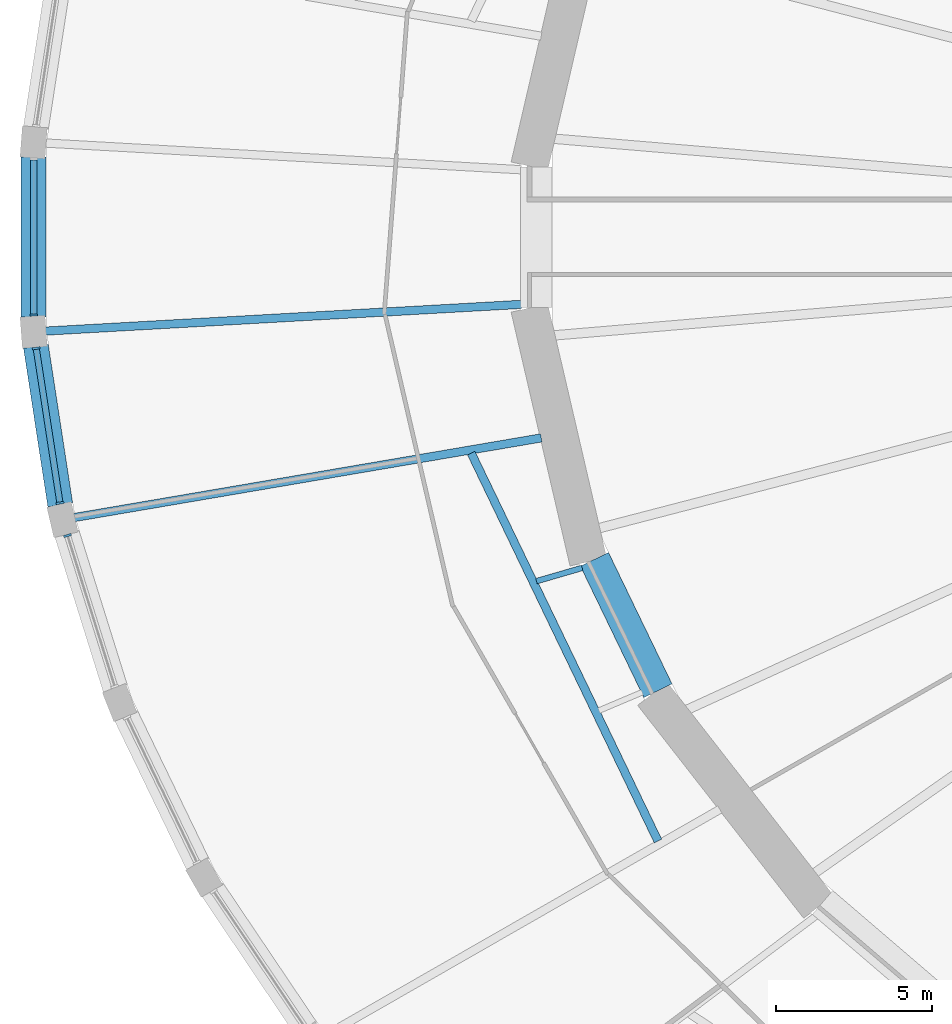
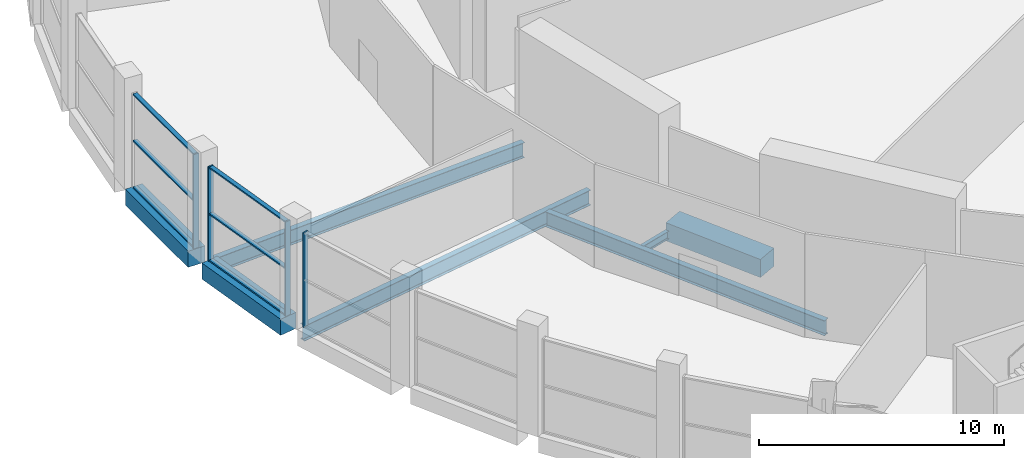
# One storey, part 5 of 29: 10 members, 7 beams, 3 elements without a shape of their own.
"""IFC4 building model written with IfcOpenShell, lengths in metres."""

from ifc_helpers import new_model, si_unit, direction, frame, origin, origin_2d, place, context, subcontext, project, spatial, rectangle, i_section, extrude, material, material_profile, profile_set, type_object, element, aggregate, save


model = new_model("IFC4")

# Units and contexts
model_context = context("Model", 3, precision=1e-05, world=origin(), true_north=direction((0.0, 1.0)))
body_context = subcontext(model_context, "Body", "Model", "MODEL_VIEW")
ifc_project = project(units=[si_unit("LENGTHUNIT", "METRE"), si_unit("AREAUNIT", "SQUARE_METRE"), si_unit("VOLUMEUNIT", "CUBIC_METRE"), si_unit("PLANEANGLEUNIT", "RADIAN"), si_unit("MASSUNIT", "GRAM", prefix="KILO")], contexts=[model_context])

# Site, building, storey
site_placement = place(None, origin())
site = spatial("IfcSite", under=ifc_project, at=site_placement, CompositionType="ELEMENT")
building_placement = place(site_placement, origin())
building = spatial("IfcBuilding", under=site, at=building_placement, Name="Halqa Exchange Tower", CompositionType="ELEMENT")
storey_placement = place(building_placement, frame((0.0, 0.0, 7.0)))
storey = spatial("IfcBuildingStorey", under=building, at=storey_placement, Name="L01", CompositionType="ELEMENT", Elevation=7.0)

# Curtain wall, member
ifc_material_1 = material(Name="Anodised aluminium and clear glass", Category="aluminium")
curtain_wall_type = type_object("IfcCurtainWallType", Name="Exchange hall glazing", PredefinedType="NOTDEFINED", material=ifc_material_1)
curtain_wall_1_placement = place(storey_placement, origin())
curtain_wall_1 = element("IfcCurtainWall", 1, at=curtain_wall_1_placement, inside=storey, type_object=curtain_wall_type, Name="Exchange hall glazing run P24", PredefinedType="NOTDEFINED")
ifc_material_2 = material(Name="Anodised aluminium", Category="aluminium")
ifc_material_profile_1 = material_profile(ifc_material_2, rectangle(XDim=0.25, YDim=0.070068359375, at=origin_2d()), Name="AL 70x250")
ifc_profile_set_1 = profile_set([ifc_material_profile_1], Name="Anodised aluminium")
member_type_1 = type_object("IfcMemberType", Name="Exchange hall glazing mullion 70 x 250", PredefinedType="MULLION", material=ifc_profile_set_1)
member_1_placement = place(storey_placement, frame((-53.884521484375, -2.4931640625, 0.0), z_axis=(0.0, 0.0, 1.0), x_axis=(1.0, 0.0, 0.0)))
member_1 = element("IfcMember", 2, at=member_1_placement, type_object=member_type_1, Name="P24 mullion 2", PredefinedType="MULLION", context=body_context, shape_type="SweptSolid", body=[
    extrude(rectangle(XDim=0.25, YDim=0.070068359375, at=origin_2d()), origin(), (0.0, 0.0, 1.0), 4.699951171875),
])

# Curtain wall, members
curtain_wall_2_placement = place(storey_placement, origin())
curtain_wall_2 = element("IfcCurtainWall", 3, at=curtain_wall_2_placement, inside=storey, type_object=curtain_wall_type, Name="Exchange hall glazing run P25", PredefinedType="NOTDEFINED")
member_2_placement = place(storey_placement, frame((-53.80322265625, -3.556884765625, 0.0), z_axis=(0.0, 0.0, 1.0), x_axis=(0.988416304241, 0.151766957898, 0.0)))
member_2 = element("IfcMember", 4, at=member_2_placement, type_object=member_type_1, Name="P25 mullion 1", PredefinedType="MULLION", context=body_context, shape_type="SweptSolid", body=[
    extrude(rectangle(XDim=0.25, YDim=0.070068359375, at=origin_2d()), origin(), (0.0, 0.0, 1.0), 4.699951171875),
])
member_3_placement = place(storey_placement, frame((-53.043701171875, -8.50390625, 0.0), z_axis=(0.0, 0.0, 1.0), x_axis=(0.988416304241, 0.151766957898, 0.0)))
member_3 = element("IfcMember", 5, at=member_3_placement, type_object=member_type_1, Name="P25 mullion 2", PredefinedType="MULLION", context=body_context, shape_type="SweptSolid", body=[
    extrude(rectangle(XDim=0.25, YDim=0.070068359375, at=origin_2d()), origin(), (0.0, 0.0, 1.0), 4.699951171875),
])

# Curtain wall, member
curtain_wall_3_placement = place(storey_placement, origin())
curtain_wall_3 = element("IfcCurtainWall", 6, at=curtain_wall_3_placement, inside=storey, type_object=curtain_wall_type, Name="Exchange hall glazing run P26", PredefinedType="NOTDEFINED")
member_4_placement = place(storey_placement, frame((-52.802978515625, -9.543212890625, 0.0), z_axis=(0.0, 0.0, 1.0), x_axis=(0.95447130463, 0.298302746613, 0.0)))
member_4 = element("IfcMember", 7, at=member_4_placement, type_object=member_type_1, Name="P26 mullion 1", PredefinedType="MULLION", context=body_context, shape_type="SweptSolid", body=[
    extrude(rectangle(XDim=0.25, YDim=0.070068359375, at=origin_2d()), origin(), (0.0, 0.0, 1.0), 4.699951171875),
])
aggregate(curtain_wall_3, [member_4])

# Member
ifc_material_profile_2 = material_profile(ifc_material_2, rectangle(XDim=0.199951171875, YDim=0.070068359375, at=origin_2d()), Name="AL 70x200")
ifc_profile_set_2 = profile_set([ifc_material_profile_2], Name="Anodised aluminium")
member_type_2 = type_object("IfcMemberType", Name="Exchange hall glazing transom 70 x 200", PredefinedType="USERDEFINED", material=ifc_profile_set_2)
member_5_placement = place(storey_placement, frame((-53.884521484375, 2.458251953125, 0.034912109375), z_axis=(0.0, -1.0, 0.0), x_axis=(1.0, 0.0, 0.0)))
member_5 = element("IfcMember", 8, at=member_5_placement, type_object=member_type_2, Name="P24 transom 1.1", ObjectType="TRANSOM", PredefinedType="USERDEFINED", context=body_context, shape_type="SweptSolid", body=[
    extrude(rectangle(XDim=0.199951171875, YDim=0.070068359375, at=origin_2d()), origin(), (0.0, 0.0, 1.0), 4.91650390625),
])

member_6_placement = place(storey_placement, frame((-53.884521484375, 2.458251953125, 2.35009765625), z_axis=(0.0, -1.0, 0.0), x_axis=(1.0, 0.0, 0.0)))
member_6 = element("IfcMember", 9, at=member_6_placement, type_object=member_type_2, Name="P24 transom 1.2", ObjectType="TRANSOM", PredefinedType="USERDEFINED", context=body_context, shape_type="SweptSolid", body=[
    extrude(rectangle(XDim=0.199951171875, YDim=0.070068359375, at=origin_2d()), origin(), (0.0, 0.0, 1.0), 4.91650390625),
])

member_7_placement = place(storey_placement, frame((-53.884521484375, 2.458251953125, 4.6650390625), z_axis=(0.0, -1.0, 0.0), x_axis=(1.0, 0.0, 0.0)))
member_7 = element("IfcMember", 10, at=member_7_placement, type_object=member_type_2, Name="P24 transom 1.3", ObjectType="TRANSOM", PredefinedType="USERDEFINED", context=body_context, shape_type="SweptSolid", body=[
    extrude(rectangle(XDim=0.199951171875, YDim=0.070068359375, at=origin_2d()), origin(), (0.0, 0.0, 1.0), 4.91650390625),
])

aggregate(curtain_wall_1, [member_1, member_5, member_6, member_7])

member_8_placement = place(storey_placement, frame((-53.7978515625, -3.591552734375, 0.034912109375), z_axis=(0.151782076139, -0.988413982784, 0.0), x_axis=(0.988413982784, 0.151782076139, 0.0)))
member_8 = element("IfcMember", 11, at=member_8_placement, type_object=member_type_2, Name="P25 transom 1.1", ObjectType="TRANSOM", PredefinedType="USERDEFINED", context=body_context, shape_type="SweptSolid", body=[
    extrude(rectangle(XDim=0.199951171875, YDim=0.070068359375, at=origin_2d()), origin(), (0.0, 0.0, 1.0), 4.934814453125),
])

member_9_placement = place(storey_placement, frame((-53.7978515625, -3.591552734375, 2.35009765625), z_axis=(0.151782076139, -0.988413982784, 0.0), x_axis=(0.988413982784, 0.151782076139, 0.0)))
member_9 = element("IfcMember", 12, at=member_9_placement, type_object=member_type_2, Name="P25 transom 1.2", ObjectType="TRANSOM", PredefinedType="USERDEFINED", context=body_context, shape_type="SweptSolid", body=[
    extrude(rectangle(XDim=0.199951171875, YDim=0.070068359375, at=origin_2d()), origin(), (0.0, 0.0, 1.0), 4.934814453125),
])

member_10_placement = place(storey_placement, frame((-53.7978515625, -3.591552734375, 4.6650390625), z_axis=(0.151782076139, -0.988413982784, 0.0), x_axis=(0.988413982784, 0.151782076139, 0.0)))
member_10 = element("IfcMember", 13, at=member_10_placement, type_object=member_type_2, Name="P25 transom 1.3", ObjectType="TRANSOM", PredefinedType="USERDEFINED", context=body_context, shape_type="SweptSolid", body=[
    extrude(rectangle(XDim=0.199951171875, YDim=0.070068359375, at=origin_2d()), origin(), (0.0, 0.0, 1.0), 4.934814453125),
])

aggregate(curtain_wall_2, [member_2, member_3, member_8, member_9, member_10])

# Beams
ifc_material_3 = material(Name="Steel S355", Category="steel")
ifc_material_profile_3 = material_profile(ifc_material_3, i_section(OverallWidth=0.179931640625, OverallDepth=0.39990234375, WebThickness=0.008544921875, FlangeThickness=0.013427734375, FilletRadius=0.02099609375, at=origin_2d()), Name="IPE 400")
ifc_profile_set_3 = profile_set([ifc_material_profile_3], Name="Steel S355")
beam_type_1 = type_object("IfcBeamType", Name="Floor beam IPE 400", PredefinedType="BEAM", material=ifc_profile_set_3)
beam_1_placement = place(storey_placement, frame((-36.34521484375, -10.578369140625, -0.550048828125), z_axis=(-0.960174163417, -0.279402175917, 0.0), x_axis=(0.279402175917, -0.960174163417, 0.0)))
element("IfcBeam", 14, at=beam_1_placement, inside=storey, type_object=beam_type_1, Name="Radial beam 27a", PredefinedType="BEAM", context=body_context, shape_type="SweptSolid", body=[
    extrude(i_section(OverallWidth=0.179931640625, OverallDepth=0.39990234375, WebThickness=0.008544921875, FlangeThickness=0.013427734375, FilletRadius=0.02099609375, at=origin_2d()), origin(), (0.0, 0.0, 1.0), 1.521240234375),
])
ifc_material_profile_4 = material_profile(ifc_material_3, i_section(OverallWidth=0.264892578125, OverallDepth=0.7529296875, WebThickness=0.01318359375, FlangeThickness=0.01708984375, FilletRadius=0.01708984375, at=origin_2d()), Name="IPE 750x147")
ifc_profile_set_4 = profile_set([ifc_material_profile_4], Name="Steel S355")
beam_type_2 = type_object("IfcBeamType", Name="Floor beam IPE 750x147", PredefinedType="BEAM", material=ifc_profile_set_4)
beam_2_placement = place(storey_placement, frame((-38.2880859375, -2.151611328125, -0.7265625), z_axis=(-0.998424130563, -0.056118227964, 0.0), x_axis=(0.056118227964, -0.998424130563, 0.0)))
element("IfcBeam", 15, at=beam_2_placement, inside=storey, type_object=beam_type_2, Name="Radial beam 25", PredefinedType="BEAM", context=body_context, shape_type="SweptSolid", body=[
    extrude(i_section(OverallWidth=0.264892578125, OverallDepth=0.7529296875, WebThickness=0.01318359375, FlangeThickness=0.01708984375, FilletRadius=0.01708984375, at=origin_2d()), origin(), (0.0, 0.0, 1.0), 15.248291015625),
])
beam_3_placement = place(storey_placement, frame((-37.654296875, -6.421875, -0.7265625), z_axis=(-0.985764762639, -0.168130403968, 0.0), x_axis=(0.168130403968, -0.985764762639, 0.0)))
element("IfcBeam", 16, at=beam_3_placement, inside=storey, type_object=beam_type_2, Name="Radial beam 26", PredefinedType="BEAM", context=body_context, shape_type="SweptSolid", body=[
    extrude(i_section(OverallWidth=0.264892578125, OverallDepth=0.7529296875, WebThickness=0.01318359375, FlangeThickness=0.01708984375, FilletRadius=0.01708984375, at=origin_2d()), origin(), (0.0, 0.0, 1.0), 15.156982421875),
])
beam_4_placement = place(storey_placement, frame((-39.89306640625, -6.91015625, -0.7265625), z_axis=(0.433856142987, -0.900982156978, 0.0), x_axis=(0.900982156978, 0.433856142987, 0.0)))
element("IfcBeam", 17, at=beam_4_placement, inside=storey, type_object=beam_type_2, Name="Radial beam TSS4-in", PredefinedType="BEAM", context=body_context, shape_type="SweptSolid", body=[
    extrude(i_section(OverallWidth=0.264892578125, OverallDepth=0.7529296875, WebThickness=0.01318359375, FlangeThickness=0.01708984375, FilletRadius=0.01708984375, at=origin_2d()), origin(), (0.0, 0.0, 1.0), 13.766357421875),
])
ifc_material_4 = material(Name="Concrete C60/75", Category="concrete")
ifc_material_profile_5 = material_profile(ifc_material_4, rectangle(XDim=0.800048828125, YDim=0.800048828125, at=origin_2d()), Name="800 x 800")
ifc_profile_set_5 = profile_set([ifc_material_profile_5], Name="Concrete C60/75")
beam_type_3 = type_object("IfcBeamType", Name="RC podium edge beam 800 x 800 C60/75", PredefinedType="SPANDREL", material=ifc_profile_set_5)
beam_5_placement = place(storey_placement, frame((-53.884521484375, 2.5556640625, -0.39990234375), z_axis=(0.0, -1.0, 0.0), x_axis=(1.0, 0.0, 0.0)))
element("IfcBeam", 18, at=beam_5_placement, inside=storey, type_object=beam_type_3, Name="Podium edge beam 24", PredefinedType="SPANDREL", context=body_context, shape_type="SweptSolid", body=[
    extrude(rectangle(XDim=0.800048828125, YDim=0.800048828125, at=origin_2d()), origin(), (0.0, 0.0, 1.0), 5.111328125),
])
beam_6_placement = place(storey_placement, frame((-53.812744140625, -3.495361328125, -0.39990234375), z_axis=(0.151767505705, -0.988416220128, 0.0), x_axis=(0.988416220128, 0.151767505705, 0.0)))
element("IfcBeam", 19, at=beam_6_placement, inside=storey, type_object=beam_type_3, Name="Podium edge beam 25", PredefinedType="SPANDREL", context=body_context, shape_type="SweptSolid", body=[
    extrude(rectangle(XDim=0.800048828125, YDim=0.800048828125, at=origin_2d()), origin(), (0.0, 0.0, 1.0), 5.1298828125),
])
ifc_material_profile_6 = material_profile(ifc_material_4, rectangle(XDim=1.0, YDim=0.89990234375, at=origin_2d()), Name="1000 x 900")
ifc_profile_set_6 = profile_set([ifc_material_profile_6], Name="Concrete C60/75")
beam_type_4 = type_object("IfcBeamType", Name="RC spandrel beam 1000 x 900 C60/75", PredefinedType="SPANDREL", material=ifc_profile_set_6)
beam_7_placement = place(storey_placement, frame((-35.951904296875, -10.306884765625, -0.449951171875), z_axis=(0.435068215878, -0.900397494184, 0.0), x_axis=(0.900397494184, 0.435068215878, 0.0)))
element("IfcBeam", 20, at=beam_7_placement, inside=storey, type_object=beam_type_4, Name="Spandrel 18", PredefinedType="SPANDREL", context=body_context, shape_type="SweptSolid", body=[
    extrude(rectangle(XDim=1.0, YDim=0.89990234375, at=origin_2d()), origin(), (0.0, 0.0, 1.0), 4.6630859375),
])

save(model, "model.ifc")
